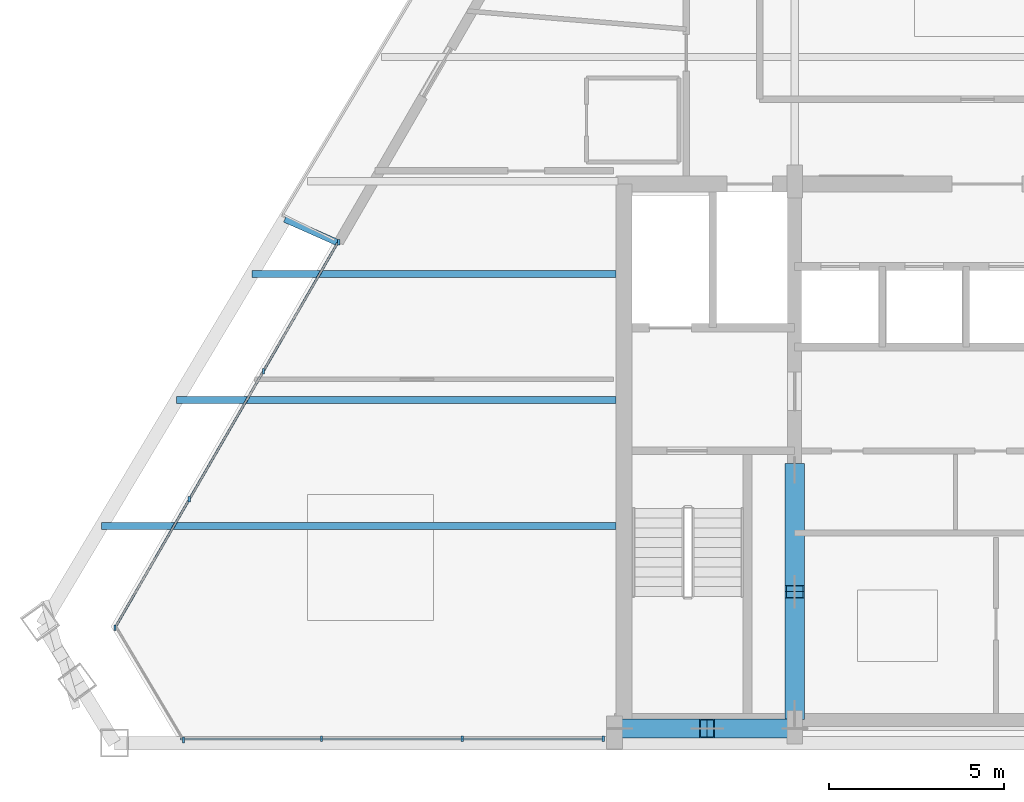
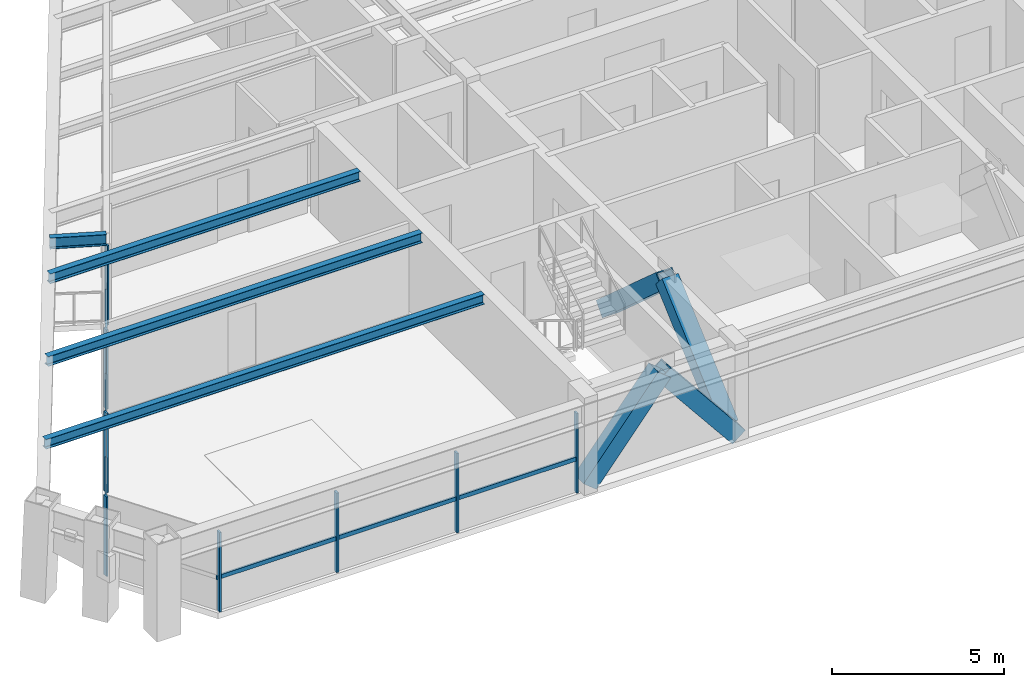
# One storey, part 2 of 13: 18 members, 4 beams, 3 elements without a shape of their own.
"""IFC4 building model written with IfcOpenShell, lengths in metres."""

from ifc_helpers import new_model, si_unit, direction, frame, origin, origin_2d, place, context, subcontext, project, spatial, rectangle, hollow_rectangle, i_section, extrude, source, transform, mapped, material, material_profile, profile_set, type_object, type_shapes, element, aggregate, save


model = new_model("IFC4")

# Units and contexts
model_context = context("Model", 3, precision=1e-05, world=origin(), true_north=direction((0.0, 1.0)))
body_context = subcontext(model_context, "Body", "Model", "MODEL_VIEW")
ifc_project = project(units=[si_unit("LENGTHUNIT", "METRE"), si_unit("AREAUNIT", "SQUARE_METRE"), si_unit("VOLUMEUNIT", "CUBIC_METRE"), si_unit("PLANEANGLEUNIT", "RADIAN"), si_unit("MASSUNIT", "GRAM", prefix="KILO")], contexts=[model_context])

# Site, building, storey
site_placement = place(None, origin())
site = spatial("IfcSite", under=ifc_project, at=site_placement, CompositionType="ELEMENT")
building_placement = place(site_placement, origin())
building = spatial("IfcBuilding", under=site, at=building_placement, Name="Varnakhor Terracotta Tower", CompositionType="ELEMENT")
storey_placement = place(building_placement, frame((0.0, 0.0, 273.0)))
storey = spatial("IfcBuildingStorey", under=building, at=storey_placement, Name="L71", CompositionType="ELEMENT", Elevation=273.0)

# Members
ifc_material_1 = material(Name="Steel S355", Category="steel")
ifc_material_profile_1 = material_profile(ifc_material_1, hollow_rectangle(XDim=0.550048828125, YDim=0.550048828125, WallThickness=0.034912109375, at=origin_2d()), Name="HSS550X550X35")
ifc_profile_set_1 = profile_set([ifc_material_profile_1], Name="Steel S355")
member_type_1 = type_object("IfcMemberType", Name="MBR-MEGA-550", PredefinedType="BRACE", material=ifc_profile_set_1)
shared_shape_1 = source(origin(), body_context, "Body", "SweptSolid", [
    extrude(hollow_rectangle(XDim=0.550048828125, YDim=0.550048828125, WallThickness=0.034912109375, at=origin_2d()), origin(), (0.0, 0.0, 1.0), 3.974853515625),
])
for number, where, z_axis, x_axis, name in (
    (1, (-10.5, 0.419921875, 0.0), (0.628970263838, 0.0, 0.777429358339), (0.0, 1.0, 0.0), "L71 Core Coupled Brace CSWA"),
    (2, (-5.5, 0.419921875, 0.0), (-0.628970263838, 0.0, 0.777429358339), (0.0, -1.0, 0.0), "L71 Core Coupled Brace CSWB"),
):
    element("IfcMember", number, at=place(storey_placement, frame(where, z_axis=z_axis, x_axis=x_axis)), inside=storey, type_object=member_type_1, Name=name, PredefinedType="BRACE", context=body_context, shape_type="MappedRepresentation", body=[
        mapped(shared_shape_1, transform((0.0, 0.0, 0.0), scale=1.0)),
    ])
shared_shape_2 = source(origin(), body_context, "Body", "SweptSolid", [
    extrude(hollow_rectangle(XDim=0.550048828125, YDim=0.550048828125, WallThickness=0.034912109375, at=origin_2d()), origin(), (0.0, 0.0, 1.0), 4.650146484375),
])
for number, where, z_axis, x_axis, name in (
    (3, (-5.5, 0.85009765625, 0.0), (0.0, 0.74726736397, 0.664523503532), (-1.0, 0.0, 0.0), "L71 Core Coupled Brace CWWA"),
    (4, (-5.5, 7.800048828125, 0.0), (0.0, -0.74729054724, 0.664497432655), (1.0, 0.0, 0.0), "L71 Core Coupled Brace CWWB"),
):
    element("IfcMember", number, at=place(storey_placement, frame(where, z_axis=z_axis, x_axis=x_axis)), inside=storey, type_object=member_type_1, Name=name, PredefinedType="BRACE", context=body_context, shape_type="MappedRepresentation", body=[
        mapped(shared_shape_2, transform((0.0, 0.0, 0.0), scale=1.0)),
    ])

# Beams
ifc_material_profile_2 = material_profile(ifc_material_1, i_section(OverallWidth=0.202880859375, OverallDepth=0.346923828125, WebThickness=0.0078125, FlangeThickness=0.013427734375, FilletRadius=0.01806640625, at=origin_2d()), Name="W14X43")
ifc_profile_set_2 = profile_set([ifc_material_profile_2], Name="Steel S355")
beam_type_1 = type_object("IfcBeamType", Name="JST-W14X43", PredefinedType="JOIST", material=ifc_profile_set_2)
shared_shape_3 = source(origin(), body_context, "Body", "SweptSolid", [
    extrude(i_section(OverallWidth=0.202880859375, OverallDepth=0.346923828125, WebThickness=0.0078125, FlangeThickness=0.013427734375, FilletRadius=0.01806640625, at=origin_2d()), origin(), (0.0, 0.0, 1.0), 14.70849609375),
])
beam_1_placement = place(storey_placement, frame((-25.30859375, 6.199951171875, 3.06640625), z_axis=(1.0, 0.0, 0.0), x_axis=(0.0, 1.0, 0.0)))
element("IfcBeam", 5, at=beam_1_placement, inside=storey, type_object=beam_type_1, Name="L71 Floor Joist W1", PredefinedType="JOIST", context=body_context, shape_type="MappedRepresentation", body=[
    mapped(shared_shape_3, transform((0.0, 0.0, 0.0), scale=1.0)),
])
shared_shape_4 = source(origin(), body_context, "Body", "SweptSolid", [
    extrude(i_section(OverallWidth=0.202880859375, OverallDepth=0.346923828125, WebThickness=0.0078125, FlangeThickness=0.013427734375, FilletRadius=0.01806640625, at=origin_2d()), origin(), (0.0, 0.0, 1.0), 12.5576171875),
])
beam_2_placement = place(storey_placement, frame((-23.15771484375, 9.800048828125, 3.06640625), z_axis=(1.0, 0.0, 0.0), x_axis=(0.0, 1.0, 0.0)))
element("IfcBeam", 6, at=beam_2_placement, inside=storey, type_object=beam_type_1, Name="L71 Floor Joist W2", PredefinedType="JOIST", context=body_context, shape_type="MappedRepresentation", body=[
    mapped(shared_shape_4, transform((0.0, 0.0, 0.0), scale=1.0)),
])
shared_shape_5 = source(origin(), body_context, "Body", "SweptSolid", [
    extrude(i_section(OverallWidth=0.202880859375, OverallDepth=0.346923828125, WebThickness=0.0078125, FlangeThickness=0.013427734375, FilletRadius=0.01806640625, at=origin_2d()), origin(), (0.0, 0.0, 1.0), 10.406982421875),
])
beam_3_placement = place(storey_placement, frame((-21.007080078125, 13.39990234375, 3.06640625), z_axis=(1.0, 0.0, 0.0), x_axis=(0.0, 1.0, 0.0)))
element("IfcBeam", 7, at=beam_3_placement, inside=storey, type_object=beam_type_1, Name="L71 Floor Joist W3", PredefinedType="JOIST", context=body_context, shape_type="MappedRepresentation", body=[
    mapped(shared_shape_5, transform((0.0, 0.0, 0.0), scale=1.0)),
])

# Curtain wall, members
ifc_material_2 = material(Name="Anodised Aluminium Curtain Wall System", Category="aluminium")
curtain_wall_type = type_object("IfcCurtainWallType", Name="CW-SYS-HOTEL-LOGGIA", PredefinedType="NOTDEFINED", material=ifc_material_2)
curtain_wall_1_placement = place(storey_placement, origin())
curtain_wall_1 = element("IfcCurtainWall", 8, at=curtain_wall_1_placement, inside=storey, type_object=curtain_wall_type, Name="L71 W Facet Curtain Wall 1", PredefinedType="NOTDEFINED")
ifc_material_3 = material(Name="Anodised Aluminium 6063-T6", Category="aluminium")
ifc_material_profile_3 = material_profile(ifc_material_3, rectangle(XDim=0.06494140625, YDim=0.159912109375, at=origin_2d()), Name="ALU MULLION 65x160")
ifc_profile_set_3 = profile_set([ifc_material_profile_3], Name="Anodised Aluminium 6063-T6")
member_type_2 = type_object("IfcMemberType", Name="CWM-04", PredefinedType="MULLION", material=ifc_profile_set_3)
shared_shape_6 = source(origin(), body_context, "Body", "SweptSolid", [
    extrude(rectangle(XDim=0.06494140625, YDim=0.159912109375, at=origin_2d()), origin(), (0.0, 0.0, 1.0), 2.820068359375),
])
type_shapes(member_type_2, [shared_shape_6])
member_1_placement = place(storey_placement, frame((-24.918212890625, 3.29833984375, 0.0), z_axis=(0.0, 0.0, 1.0), x_axis=(1.0, 0.0, 0.0)))
member_1 = element("IfcMember", 9, at=member_1_placement, type_object=member_type_2, Name="L71 W Facet Curtain Wall 1 Mullion 1", PredefinedType="MULLION", context=body_context, shape_type="MappedRepresentation", body=[
    mapped(shared_shape_6, transform((0.0, 0.0, 0.0), scale=1.0)),
])
member_2_placement = place(storey_placement, frame((-22.799072265625, 6.962890625, 0.0), z_axis=(0.0, 0.0, 1.0), x_axis=(1.0, 0.0, 0.0)))
member_2 = element("IfcMember", 10, at=member_2_placement, type_object=member_type_2, Name="L71 W Facet Curtain Wall 1 Mullion 2", PredefinedType="MULLION", context=body_context, shape_type="MappedRepresentation", body=[
    mapped(shared_shape_6, transform((0.0, 0.0, 0.0), scale=1.0)),
])
member_3_placement = place(storey_placement, frame((-20.679931640625, 10.627197265625, 0.0), z_axis=(0.0, 0.0, 1.0), x_axis=(1.0, 0.0, 0.0)))
member_3 = element("IfcMember", 11, at=member_3_placement, type_object=member_type_2, Name="L71 W Facet Curtain Wall 1 Mullion 3", PredefinedType="MULLION", context=body_context, shape_type="MappedRepresentation", body=[
    mapped(shared_shape_6, transform((0.0, 0.0, 0.0), scale=1.0)),
])
member_4_placement = place(storey_placement, frame((-18.528564453125, 14.3076171875, 0.0), z_axis=(0.0, 0.0, 1.0), x_axis=(1.0, 0.0, 0.0)))
member_4 = element("IfcMember", 12, at=member_4_placement, type_object=member_type_2, Name="L71 W Loggia Jamb Closure Mullion 1", PredefinedType="MULLION", context=body_context, shape_type="MappedRepresentation", body=[
    mapped(shared_shape_6, transform((0.0, 0.0, 0.0), scale=1.0)),
])

curtain_wall_2_placement = place(storey_placement, origin())
curtain_wall_2 = element("IfcCurtainWall", 13, at=curtain_wall_2_placement, inside=storey, type_object=curtain_wall_type, Name="L71 South Wing Curtain Wall SSW", PredefinedType="NOTDEFINED")
member_5_placement = place(storey_placement, frame((-10.969970703125, 0.1201171875, 0.0), z_axis=(0.0, 0.0, 1.0), x_axis=(1.0, 0.0, 0.0)))
member_5 = element("IfcMember", 14, at=member_5_placement, type_object=member_type_2, Name="L71 South Wing Curtain Wall SSW Mullion 1", PredefinedType="MULLION", context=body_context, shape_type="MappedRepresentation", body=[
    mapped(shared_shape_6, transform((0.0, 0.0, 0.0), scale=1.0)),
])
member_6_placement = place(storey_placement, frame((-14.99462890625, 0.1201171875, 0.0), z_axis=(0.0, 0.0, 1.0), x_axis=(1.0, 0.0, 0.0)))
member_6 = element("IfcMember", 15, at=member_6_placement, type_object=member_type_2, Name="L71 South Wing Curtain Wall SSW Mullion 2", PredefinedType="MULLION", context=body_context, shape_type="MappedRepresentation", body=[
    mapped(shared_shape_6, transform((0.0, 0.0, 0.0), scale=1.0)),
])
member_7_placement = place(storey_placement, frame((-19.019287109375, 0.1201171875, 0.0), z_axis=(0.0, 0.0, 1.0), x_axis=(1.0, 0.0, 0.0)))
member_7 = element("IfcMember", 16, at=member_7_placement, type_object=member_type_2, Name="L71 South Wing Curtain Wall SSW Mullion 3", PredefinedType="MULLION", context=body_context, shape_type="MappedRepresentation", body=[
    mapped(shared_shape_6, transform((0.0, 0.0, 0.0), scale=1.0)),
])

# Curtain wall, member
curtain_wall_3_placement = place(storey_placement, origin())
curtain_wall_3 = element("IfcCurtainWall", 17, at=curtain_wall_3_placement, inside=storey, type_object=curtain_wall_type, Name="L71 Facet Curtain Wall 6", PredefinedType="NOTDEFINED")
member_8_placement = place(storey_placement, frame((-22.96630859375, 0.087158203125, 0.0), z_axis=(0.0, 0.0, 1.0), x_axis=(1.0, 0.0, 0.0)))
member_8 = element("IfcMember", 18, at=member_8_placement, type_object=member_type_2, Name="L71 Facet Curtain Wall 6 Mullion 1", PredefinedType="MULLION", context=body_context, shape_type="MappedRepresentation", body=[
    mapped(shared_shape_6, transform((0.0, 0.0, 0.0), scale=1.0)),
])
aggregate(curtain_wall_3, [member_8])

# Member
ifc_material_profile_4 = material_profile(ifc_material_3, rectangle(XDim=0.06494140625, YDim=0.14501953125, at=origin_2d()), Name="ALU TRANSOM 65x145")
ifc_profile_set_4 = profile_set([ifc_material_profile_4], Name="Anodised Aluminium 6063-T6")
member_type_3 = type_object("IfcMemberType", Name="CWT-04", PredefinedType="USERDEFINED", material=ifc_profile_set_4)
shared_shape_7 = source(origin(), body_context, "Body", "SweptSolid", [
    extrude(rectangle(XDim=0.06494140625, YDim=0.14501953125, at=origin_2d()), origin(), (0.0, 0.0, 1.0), 4.233154296875),
])
member_9_placement = place(storey_placement, frame((-24.918212890625, 3.29833984375, 1.184326171875), z_axis=(0.500604256642, 0.865676254862, 0.0), x_axis=(-0.865676254862, 0.500604256642, 0.0)))
member_9 = element("IfcMember", 19, at=member_9_placement, type_object=member_type_3, Name="L71 W Facet Curtain Wall 1 Transom 1", ObjectType="TRANSOM", PredefinedType="USERDEFINED", context=body_context, shape_type="MappedRepresentation", body=[
    mapped(shared_shape_7, transform((0.0, 0.0, 0.0), scale=1.0)),
])

shared_shape_8 = source(origin(), body_context, "Body", "SweptSolid", [
    extrude(rectangle(XDim=0.06494140625, YDim=0.14501953125, at=origin_2d()), origin(), (0.0, 0.0, 1.0), 4.23291015625),
])
member_10_placement = place(storey_placement, frame((-22.799072265625, 6.962890625, 1.184326171875), z_axis=(0.500629251054, 0.865661800583, 0.0), x_axis=(-0.865661800583, 0.500629251054, 0.0)))
member_10 = element("IfcMember", 20, at=member_10_placement, type_object=member_type_3, Name="L71 W Facet Curtain Wall 1 Transom 2", ObjectType="TRANSOM", PredefinedType="USERDEFINED", context=body_context, shape_type="MappedRepresentation", body=[
    mapped(shared_shape_8, transform((0.0, 0.0, 0.0), scale=1.0)),
])

member_11_placement = place(storey_placement, frame((-20.679931640625, 10.627197265625, 1.184326171875), z_axis=(0.500629251054, 0.865661800583, 0.0), x_axis=(-0.865661800583, 0.500629251054, 0.0)))
member_11 = element("IfcMember", 21, at=member_11_placement, type_object=member_type_3, Name="L71 W Facet Curtain Wall 1 Transom 3", ObjectType="TRANSOM", PredefinedType="USERDEFINED", context=body_context, shape_type="MappedRepresentation", body=[
    mapped(shared_shape_8, transform((0.0, 0.0, 0.0), scale=1.0)),
])

aggregate(curtain_wall_1, [member_1, member_9, member_2, member_10, member_3, member_11, member_4])

shared_shape_9 = source(origin(), body_context, "Body", "SweptSolid", [
    extrude(rectangle(XDim=0.06494140625, YDim=0.14501953125, at=origin_2d()), origin(), (0.0, 0.0, 1.0), 4.024658203125),
])
member_12_placement = place(storey_placement, frame((-10.969970703125, 0.1201171875, 1.184326171875), z_axis=(-1.0, 0.0, 0.0), x_axis=(0.0, -1.0, 0.0)))
member_12 = element("IfcMember", 22, at=member_12_placement, type_object=member_type_3, Name="L71 South Wing Curtain Wall SSW Transom 1", ObjectType="TRANSOM", PredefinedType="USERDEFINED", context=body_context, shape_type="MappedRepresentation", body=[
    mapped(shared_shape_9, transform((0.0, 0.0, 0.0), scale=1.0)),
])

member_13_placement = place(storey_placement, frame((-14.99462890625, 0.1201171875, 1.184326171875), z_axis=(-1.0, 0.0, 0.0), x_axis=(0.0, -1.0, 0.0)))
member_13 = element("IfcMember", 23, at=member_13_placement, type_object=member_type_3, Name="L71 South Wing Curtain Wall SSW Transom 2", ObjectType="TRANSOM", PredefinedType="USERDEFINED", context=body_context, shape_type="MappedRepresentation", body=[
    mapped(shared_shape_9, transform((0.0, 0.0, 0.0), scale=1.0)),
])

member_14_placement = place(storey_placement, frame((-19.019287109375, 0.1201171875, 1.184326171875), z_axis=(-1.0, 0.0, 0.0), x_axis=(0.0, -1.0, 0.0)))
member_14 = element("IfcMember", 24, at=member_14_placement, type_object=member_type_3, Name="L71 South Wing Curtain Wall SSW Transom 3", ObjectType="TRANSOM", PredefinedType="USERDEFINED", context=body_context, shape_type="MappedRepresentation", body=[
    mapped(shared_shape_9, transform((0.0, 0.0, 0.0), scale=1.0)),
])

aggregate(curtain_wall_2, [member_5, member_12, member_6, member_13, member_7, member_14])

# Beam
ifc_material_profile_5 = material_profile(ifc_material_1, i_section(OverallWidth=0.179931640625, OverallDepth=0.39990234375, WebThickness=0.008544921875, FlangeThickness=0.013427734375, FilletRadius=0.01806640625, at=origin_2d()), Name="IPE400")
ifc_profile_set_5 = profile_set([ifc_material_profile_5], Name="Steel S355")
beam_type_2 = type_object("IfcBeamType", Name="JST-IPE400", PredefinedType="JOIST", material=ifc_profile_set_5)
shared_shape_10 = source(origin(), body_context, "Body", "SweptSolid", [
    extrude(i_section(OverallWidth=0.179931640625, OverallDepth=0.39990234375, WebThickness=0.008544921875, FlangeThickness=0.013427734375, FilletRadius=0.01806640625, at=origin_2d()), origin(), (0.0, 0.0, 1.0), 1.655517578125),
])
beam_4_placement = place(storey_placement, frame((-18.555908203125, 14.298583984375, 3.0400390625), z_axis=(-0.914279178734, 0.405084661933, 0.0), x_axis=(-0.405084661933, -0.914279178734, 0.0)))
element("IfcBeam", 25, at=beam_4_placement, inside=storey, type_object=beam_type_2, Name="L72 W Loggia Tie Beam 1", PredefinedType="JOIST", context=body_context, shape_type="MappedRepresentation", body=[
    mapped(shared_shape_10, transform((0.0, 0.0, 0.0), scale=1.0)),
])

save(model, "model.ifc")
